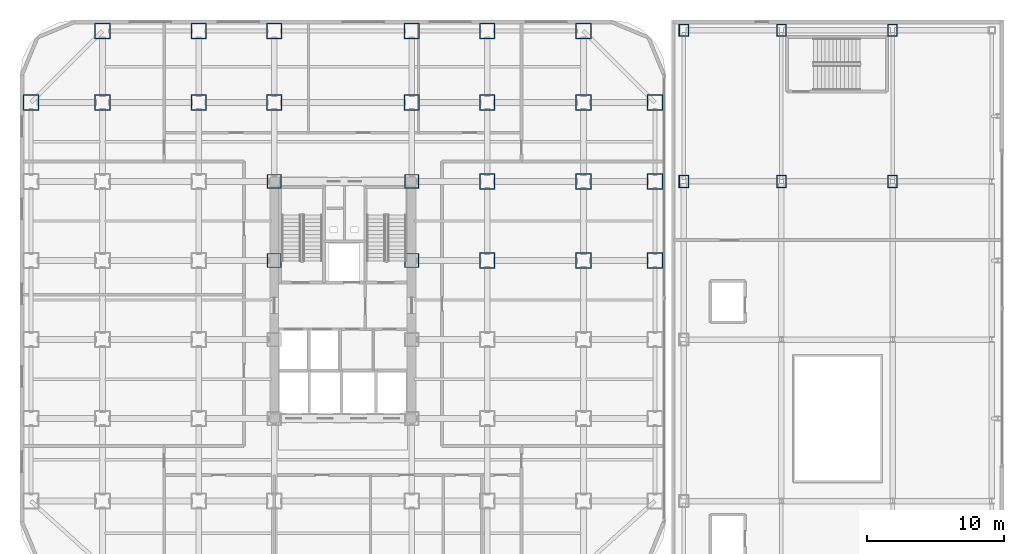
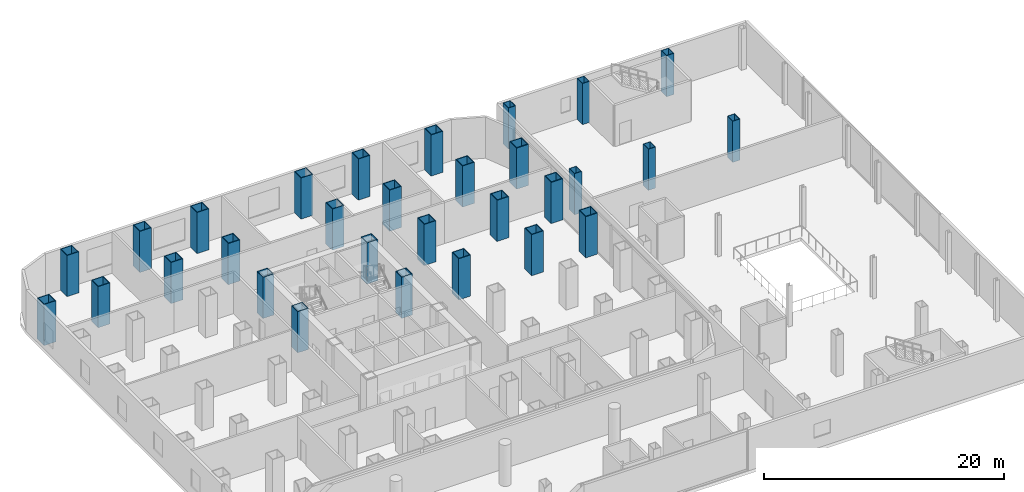
# One storey, part 3 of 27: 30 columns.
"""IFC4 building model written with IfcOpenShell, lengths in metres."""

from ifc_helpers import new_model, si_unit, direction, frame, origin, origin_2d, place, context, subcontext, project, spatial, hollow_rectangle, extrude, source, transform, mapped, material, material_profile, profile_set, type_object, element, save


model = new_model("IFC4")

# Units and contexts
model_context = context("Model", 3, precision=1e-05, world=origin(), true_north=direction((0.0, 1.0)))
body_context = subcontext(model_context, "Body", "Model", "MODEL_VIEW")
ifc_project = project(units=[si_unit("LENGTHUNIT", "METRE"), si_unit("AREAUNIT", "SQUARE_METRE"), si_unit("VOLUMEUNIT", "CUBIC_METRE"), si_unit("PLANEANGLEUNIT", "RADIAN"), si_unit("MASSUNIT", "GRAM", prefix="KILO")], contexts=[model_context])

# Site, building, storey
site_placement = place(None, origin())
site = spatial("IfcSite", under=ifc_project, at=site_placement, CompositionType="ELEMENT")
building_placement = place(site_placement, origin())
building = spatial("IfcBuilding", under=site, at=building_placement, Name="Kolveth Station Tower", CompositionType="ELEMENT")
storey_placement = place(building_placement, frame((0.0, 0.0, 13.5)))
storey = spatial("IfcBuildingStorey", under=building, at=storey_placement, Name="L03", CompositionType="ELEMENT", Elevation=13.5)

# Columns
ifc_material_1 = material(Name="Steel S460", Category="steel")
ifc_material_profile_1 = material_profile(ifc_material_1, hollow_rectangle(XDim=1.139892578125, YDim=1.139892578125, WallThickness=0.070068359375, at=origin_2d()), Name="BOX1140x1140x70")
ifc_profile_set_1 = profile_set([ifc_material_profile_1], Name="Steel S460")
column_type_1 = type_object("IfcColumnType", Name="Col_C1", PredefinedType="COLUMN", material=ifc_profile_set_1)
shared_shape_1 = source(origin(), body_context, "Body", "SweptSolid", [
    extrude(hollow_rectangle(XDim=1.139892578125, YDim=1.139892578125, WallThickness=0.070068359375, at=origin_2d()), origin(), (0.0, 0.0, 1.0), 4.179931640625),
])
for number, where, z_axis, x_axis, name in (
    (1, (6.0, 39.699951171875, 0.0), (0.0, 0.0, 1.0), (1.0, 0.0, 0.0), "L03 Tower Column N-X60"),
    (2, (13.0, 39.699951171875, 0.0), (0.0, 0.0, 1.0), (1.0, 0.0, 0.0), "L03 Tower Column N-X130"),
    (3, (18.5, 39.699951171875, 0.0), (0.0, 0.0, 1.0), (1.0, 0.0, 0.0), "L03 Tower Column N-X185"),
    (4, (28.5, 39.699951171875, 0.0), (0.0, 0.0, 1.0), (1.0, 0.0, 0.0), "L03 Tower Column N-X285"),
    (5, (34.0, 39.699951171875, 0.0), (0.0, 0.0, 1.0), (1.0, 0.0, 0.0), "L03 Tower Column N-X340"),
    (6, (41.0, 39.699951171875, 0.0), (0.0, 0.0, 1.0), (1.0, 0.0, 0.0), "L03 Tower Column N-X410"),
    (7, (46.199951171875, 23.0, 0.0), (0.0, 0.0, 1.0), (1.0, 0.0, 0.0), "L03 Tower Column E-Y230"),
    (8, (46.199951171875, 28.75, 0.0), (0.0, 0.0, 1.0), (1.0, 0.0, 0.0), "L03 Tower Column E-Y287"),
    (9, (0.800048828125, 34.5, 0.0), (0.0, 0.0, 1.0), (1.0, 0.0, 0.0), "L03 Tower Column W-Y345"),
    (10, (46.199951171875, 34.5, 0.0), (0.0, 0.0, 1.0), (1.0, 0.0, 0.0), "L03 Tower Column E-Y345"),
    (11, (6.0, 34.5, 0.0), (0.0, 0.0, 1.0), (1.0, 0.0, 0.0), "L03 Tower Column G-60-345"),
    (12, (13.0, 34.5, 0.0), (0.0, 0.0, 1.0), (1.0, 0.0, 0.0), "L03 Tower Column G-130-345"),
    (13, (18.5, 34.5, 0.0), (0.0, 0.0, 1.0), (1.0, 0.0, 0.0), "L03 Tower Column G-185-345"),
    (14, (28.5, 34.5, 0.0), (0.0, 0.0, 1.0), (1.0, 0.0, 0.0), "L03 Tower Column G-285-345"),
    (15, (34.0, 23.0, 0.0), (0.0, 0.0, 1.0), (1.0, 0.0, 0.0), "L03 Tower Column G-340-230"),
    (16, (34.0, 28.75, 0.0), (0.0, 0.0, 1.0), (1.0, 0.0, 0.0), "L03 Tower Column G-340-287"),
    (17, (34.0, 34.5, 0.0), (0.0, 0.0, 1.0), (1.0, 0.0, 0.0), "L03 Tower Column G-340-345"),
    (18, (41.0, 23.0, 0.0), (0.0, 0.0, 1.0), (1.0, 0.0, 0.0), "L03 Tower Column G-410-230"),
    (19, (41.0, 28.75, 0.0), (0.0, 0.0, 1.0), (1.0, 0.0, 0.0), "L03 Tower Column G-410-287"),
    (20, (41.0, 34.5, 0.0), (0.0, 0.0, 1.0), (1.0, 0.0, 0.0), "L03 Tower Column G-410-345"),
):
    element("IfcColumn", number, at=place(storey_placement, frame(where, z_axis=z_axis, x_axis=x_axis)), inside=storey, type_object=column_type_1, Name=name, PredefinedType="COLUMN", context=body_context, shape_type="MappedRepresentation", body=[
        mapped(shared_shape_1, transform((0.0, 0.0, 0.0), x_axis=(1.0, 0.0, 0.0), y_axis=(0.0, 1.0, 0.0), z_axis=(0.0, 0.0, 1.0), scale=1.0)),
    ])
ifc_material_profile_2 = material_profile(ifc_material_1, hollow_rectangle(XDim=1.0400390625, YDim=1.0400390625, WallThickness=0.06494140625, at=origin_2d()), Name="BOX1040x1040x65")
ifc_profile_set_2 = profile_set([ifc_material_profile_2], Name="Steel S460")
column_type_2 = type_object("IfcColumnType", Name="Col_C2", PredefinedType="COLUMN", material=ifc_profile_set_2)
shared_shape_2 = source(origin(), body_context, "Body", "SweptSolid", [
    extrude(hollow_rectangle(XDim=1.0400390625, YDim=1.0400390625, WallThickness=0.06494140625, at=origin_2d()), origin(), (0.0, 0.0, 1.0), 4.179931640625),
])
for number, where, z_axis, x_axis, name in (
    (21, (18.5, 23.0, 0.0), (0.0, 0.0, 1.0), (1.0, 0.0, 0.0), "L03 Tower Column G-185-230"),
    (22, (18.5, 28.75, 0.0), (0.0, 0.0, 1.0), (1.0, 0.0, 0.0), "L03 Tower Column G-185-287"),
    (23, (28.5, 23.0, 0.0), (0.0, 0.0, 1.0), (1.0, 0.0, 0.0), "L03 Tower Column G-285-230"),
    (24, (28.5, 28.75, 0.0), (0.0, 0.0, 1.0), (1.0, 0.0, 0.0), "L03 Tower Column G-285-287"),
):
    element("IfcColumn", number, at=place(storey_placement, frame(where, z_axis=z_axis, x_axis=x_axis)), inside=storey, type_object=column_type_2, Name=name, PredefinedType="COLUMN", context=body_context, shape_type="MappedRepresentation", body=[
        mapped(shared_shape_2, transform((0.0, 0.0, 0.0), x_axis=(1.0, 0.0, 0.0), y_axis=(0.0, 1.0, 0.0), z_axis=(0.0, 0.0, 1.0), scale=1.0)),
    ])
ifc_material_2 = material(Name="Steel S355", Category="steel")
ifc_material_profile_3 = material_profile(ifc_material_2, hollow_rectangle(XDim=0.699951171875, YDim=0.89990234375, WallThickness=0.0400390625, at=origin_2d()), Name="BOX900x700x40")
ifc_profile_set_3 = profile_set([ifc_material_profile_3], Name="Steel S355")
column_type_3 = type_object("IfcColumnType", Name="Col_SC1", PredefinedType="COLUMN", material=ifc_profile_set_3)
shared_shape_3 = source(origin(), body_context, "Body", "SweptSolid", [
    extrude(hollow_rectangle(XDim=0.699951171875, YDim=0.89990234375, WallThickness=0.0400390625, at=origin_2d()), origin(), (0.0, 0.0, 1.0), 4.179931640625),
])
for number, where, z_axis, x_axis, name in (
    (25, (48.300048828125, 28.75, 0.0), (0.0, 0.0, 1.0), (1.0, 0.0, 0.0), "L03 Station Column SE-1-5"),
    (26, (48.300048828125, 39.75, 0.0), (0.0, 0.0, 1.0), (1.0, 0.0, 0.0), "L03 Station Column SE-1-6"),
    (27, (55.39990234375, 28.75, 0.0), (0.0, 0.0, 1.0), (1.0, 0.0, 0.0), "L03 Station Column SE-2-5"),
    (28, (55.39990234375, 39.75, 0.0), (0.0, 0.0, 1.0), (1.0, 0.0, 0.0), "L03 Station Column SE-2-6"),
    (29, (63.5, 28.75, 0.0), (0.0, 0.0, 1.0), (1.0, 0.0, 0.0), "L03 Station Column SE-3-5"),
    (30, (63.5, 39.75, 0.0), (0.0, 0.0, 1.0), (1.0, 0.0, 0.0), "L03 Station Column SE-3-6"),
):
    element("IfcColumn", number, at=place(storey_placement, frame(where, z_axis=z_axis, x_axis=x_axis)), inside=storey, type_object=column_type_3, Name=name, PredefinedType="COLUMN", context=body_context, shape_type="MappedRepresentation", body=[
        mapped(shared_shape_3, transform((0.0, 0.0, 0.0), x_axis=(1.0, 0.0, 0.0), y_axis=(0.0, 1.0, 0.0), z_axis=(0.0, 0.0, 1.0), scale=1.0)),
    ])

save(model, "model.ifc")
